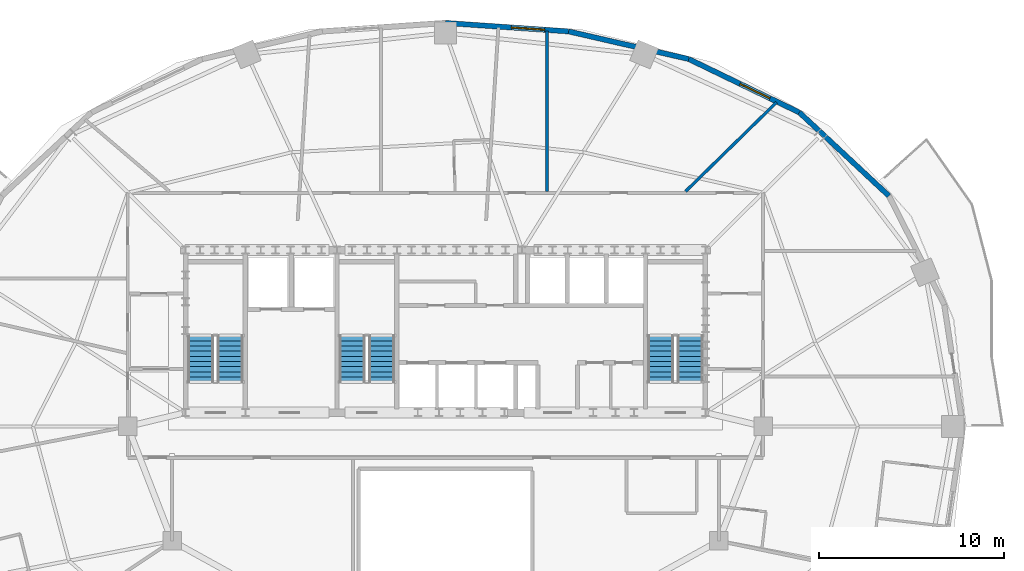
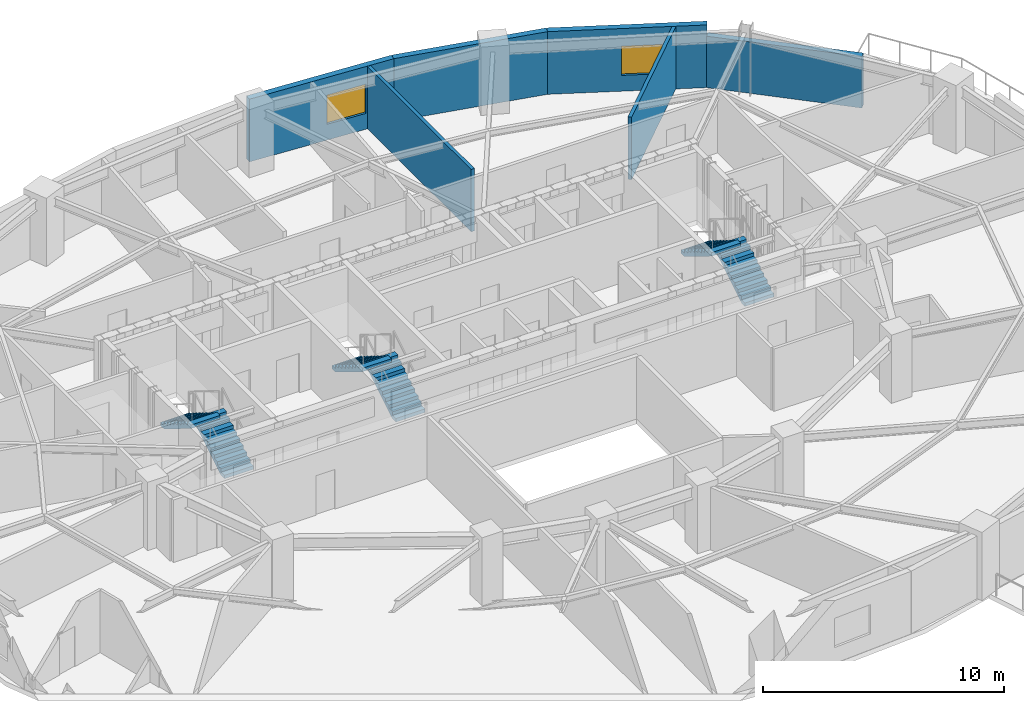
# One storey, part 7 of 10: 6 stair flights, 6 walls, 2 windows, 2 openings, 3 elements without a shape of their own.
"""IFC4 building model written with IfcOpenShell, lengths in metres."""

from ifc_helpers import new_model, si_unit, direction, frame, frame_2d, origin, place, context, subcontext, project, spatial, polyline, rectangle, outline, extrude, material, layer, layer_set, type_object, element, fill, aggregate, save


model = new_model("IFC4")

# Units and contexts
model_context = context("Model", 3, precision=1e-05, world=origin(), true_north=direction((0.0, 1.0)))
body_context = subcontext(model_context, "Body", "Model", "MODEL_VIEW")
ifc_project = project(units=[si_unit("LENGTHUNIT", "METRE"), si_unit("AREAUNIT", "SQUARE_METRE"), si_unit("VOLUMEUNIT", "CUBIC_METRE"), si_unit("PLANEANGLEUNIT", "RADIAN"), si_unit("MASSUNIT", "GRAM", prefix="KILO")], contexts=[model_context])

# Site, building, storey
site_placement = place(None, origin())
site = spatial("IfcSite", under=ifc_project, at=site_placement, CompositionType="ELEMENT")
building_placement = place(site_placement, origin())
building = spatial("IfcBuilding", under=site, at=building_placement, Name="Haldorwick Loom Tower", CompositionType="ELEMENT")
storey_placement = place(building_placement, frame((0.0, 0.0, 196.89990234375)))
storey = spatial("IfcBuildingStorey", under=building, at=storey_placement, Name="L53", CompositionType="ELEMENT", Elevation=196.89990234375)

# Wall
ifc_material_1 = material(Name="Pressed Clay Face Brick and Insulated Masonry Backup Assembly", Category="masonry")
ifc_layer_1 = layer(ifc_material_1, 0.280029296875, Name="Pressed Clay Face Brick and Insulated Masonry Backup Assembly", Category="masonry")
ifc_layer_set_1 = layer_set([ifc_layer_1], Name="Pressed Clay Face Brick and Insulated Masonry Backup Assembly")
wall_type_1 = type_object("IfcWallType", Name="ARC-WL-EXT280", PredefinedType="STANDARD", material=ifc_layer_set_1)
wall_1_placement = place(storey_placement, frame((60.005615234375, 38.4853515625, 0.0), z_axis=(0.0, 0.0, 1.0), x_axis=(-0.731833707499, 0.681483253329, 0.0)))
element("IfcWall", 1, at=wall_1_placement, inside=storey, type_object=wall_type_1, Name="L53 Brick Pier and Spandrel Wall 3", PredefinedType="STANDARD", context=body_context, shape_type="SweptSolid", body=[
    extrude(rectangle(XDim=6.61865234375, YDim=0.280029296875, at=frame_2d((3.309326171875, 0.0))), origin(), (0.0, 0.0, 1.0), 2.60107421875),
])

# Wall, opening, window
wall_2_placement = place(storey_placement, frame((55.161865234375, 42.995849609375, 0.0), z_axis=(0.0, 0.0, 1.0), x_axis=(-0.900371236029, 0.435122554381, 0.0)))
wall_2 = element("IfcWall", 2, at=wall_2_placement, inside=storey, type_object=wall_type_1, Name="L53 Brick Pier and Spandrel Wall 4", PredefinedType="STANDARD", context=body_context, shape_type="SweptSolid", body=[
    extrude(rectangle(XDim=6.6533203125, YDim=0.280029296875, at=frame_2d((3.32666015625, 0.0))), origin(), (0.0, 0.0, 1.0), 3.170166015625),
])
opening_1_placement = place(wall_2_placement, frame((1.770751953125, 0.0, 0.800048828125)))
opening_1 = element("IfcOpeningElement", 3, at=opening_1_placement, cuts=wall_2, Name="Opening W-01", PredefinedType="OPENING", context=body_context, shape_type="SweptSolid", body=[
    extrude(rectangle(XDim=1.800048828125, YDim=1.47998046875, at=frame_2d((0.89990234375, 0.739990234375))), frame((0.0, 0.14990234375, 0.0), z_axis=(0.0, -1.0, 0.0), x_axis=(1.0, 0.0, 0.0)), (0.0, 0.0, 1.0), 0.300048828125),
])
ifc_material_2 = material(Name="Triple-Glazed Low-E Argon Insulated Glazing Unit", Category="glass")
window_type = type_object("IfcWindowType", Name="ARC-WIN-W180", PartitioningType="SINGLE_PANEL", PredefinedType="WINDOW", material=ifc_material_2)
window_1_placement = place(opening_1_placement, origin())
window_1 = element("IfcWindow", 4, at=window_1_placement, inside=storey, type_object=window_type, Name="L53 Deep-Set Zone 7A Window 4", OverallHeight=1.47998046875, OverallWidth=1.800048828125, PartitioningType="SINGLE_PANEL", PredefinedType="WINDOW", context=body_context, shape_type="SweptSolid", body=[
    extrude(rectangle(XDim=1.800048828125, YDim=1.47998046875, at=frame_2d((0.89990234375, 0.739990234375))), frame((0.0, 0.030029296875, 0.0), z_axis=(0.0, -1.0, 0.0), x_axis=(1.0, 0.0, 0.0)), (0.0, 0.0, 1.0), 0.06005859375),
])
fill(opening_1, window_1)

# Wall
wall_3_placement = place(storey_placement, frame((49.17138671875, 45.890869140625, 0.0), z_axis=(0.0, 0.0, 1.0), x_axis=(-0.974557343474, 0.224138315065, 0.0)))
element("IfcWall", 5, at=wall_3_placement, inside=storey, type_object=wall_type_1, Name="L53 Brick Pier and Spandrel Wall 5", PredefinedType="STANDARD", context=body_context, shape_type="SweptSolid", body=[
    extrude(rectangle(XDim=6.676025390625, YDim=0.280029296875, at=frame_2d((3.337890625, 0.0))), origin(), (0.0, 0.0, 1.0), 3.170166015625),
])

# Wall, opening, window
wall_4_placement = place(storey_placement, frame((42.665283203125, 47.38720703125, 0.0), z_axis=(0.0, 0.0, 1.0), x_axis=(-0.99764992135, 0.068517402386, 0.0)))
wall_4 = element("IfcWall", 6, at=wall_4_placement, inside=storey, type_object=wall_type_1, Name="L53 Brick Pier and Spandrel Wall 6", PredefinedType="STANDARD", context=body_context, shape_type="SweptSolid", body=[
    extrude(rectangle(XDim=6.680908203125, YDim=0.280029296875, at=frame_2d((3.34033203125, 0.0))), origin(), (0.0, 0.0, 1.0), 3.170166015625),
])
opening_2_placement = place(wall_4_placement, frame((1.30029296875, 0.0, 0.800048828125)))
opening_2 = element("IfcOpeningElement", 7, at=opening_2_placement, cuts=wall_4, Name="Opening W-01", PredefinedType="OPENING", context=body_context, shape_type="SweptSolid", body=[
    extrude(rectangle(XDim=1.800048828125, YDim=1.47998046875, at=frame_2d((0.89990234375, 0.739990234375))), frame((0.0, 0.14990234375, 0.0), z_axis=(0.0, -1.0, 0.0), x_axis=(1.0, 0.0, 0.0)), (0.0, 0.0, 1.0), 0.300048828125),
])
window_2_placement = place(opening_2_placement, origin())
window_2 = element("IfcWindow", 8, at=window_2_placement, inside=storey, type_object=window_type, Name="L53 Deep-Set Zone 7A Window 6", OverallHeight=1.47998046875, OverallWidth=1.800048828125, PartitioningType="SINGLE_PANEL", PredefinedType="WINDOW", context=body_context, shape_type="SweptSolid", body=[
    extrude(rectangle(XDim=1.800048828125, YDim=1.47998046875, at=frame_2d((0.89990234375, 0.739990234375))), frame((0.0, 0.030029296875, 0.0), z_axis=(0.0, -1.0, 0.0), x_axis=(1.0, 0.0, 0.0)), (0.0, 0.0, 1.0), 0.06005859375),
])
fill(opening_2, window_2)

# Walls
ifc_material_3 = material(Name="Fire-Rated Type X Gypsum Stud Assembly EI 60")
ifc_layer_2 = layer(ifc_material_3, 0.159912109375, Name="Fire-Rated Type X Gypsum Stud Assembly EI 60")
ifc_layer_set_2 = layer_set([ifc_layer_2], Name="Fire-Rated Type X Gypsum Stud Assembly EI 60")
wall_type_2 = type_object("IfcWallType", Name="ARC-WL-FIRE160", PredefinedType="PARTITIONING", material=ifc_layer_set_2)
wall_5_placement = place(storey_placement, frame((41.5, 38.73291015625, 0.0), z_axis=(0.0, 0.0, 1.0), x_axis=(0.0, 1.0, 0.0)))
element("IfcWall", 9, at=wall_5_placement, inside=storey, type_object=wall_type_2, Name="L53 Residential Fire Partition L53-NBP-1", PredefinedType="PARTITIONING", context=body_context, shape_type="SweptSolid", body=[
    extrude(rectangle(XDim=8.689208984375, YDim=0.159912109375, at=frame_2d((4.3447265625, 0.0))), origin(), (0.0, 0.0, 1.0), 3.155029296875),
])
wall_6_placement = place(storey_placement, frame((49.007080078125, 38.73291015625, 0.0), z_axis=(0.0, 0.0, 1.0), x_axis=(0.714590999757, 0.69954249554, 0.0)))
element("IfcWall", 10, at=wall_6_placement, inside=storey, type_object=wall_type_2, Name="L53 Suite Split Wall", PredefinedType="PARTITIONING", context=body_context, shape_type="SweptSolid", body=[
    extrude(rectangle(XDim=6.87890625, YDim=0.159912109375, at=frame_2d((3.439453125, 0.0))), origin(), (0.0, 0.0, 1.0), 3.155029296875),
])

# Stair, stair flights
ifc_material_4 = material(Name="Concrete C40 (40 MPa)", Category="concrete")
stair_type = type_object("IfcStairType", Name="STR-STR-CORE", PredefinedType="HALF_TURN_STAIR", material=ifc_material_4)
stair_1_placement = place(storey_placement, origin())
stair_1 = element("IfcStair", 11, at=stair_1_placement, inside=storey, type_object=stair_type, Name="L53 Exit Stair ST-01", PredefinedType="HALF_TURN_STAIR")
stair_flight_type = type_object("IfcStairFlightType", Name="STR-STF-1250", PredefinedType="STRAIGHT", material=ifc_material_4)
stair_flight_1_placement = place(storey_placement, frame((24.35009765625, 28.39990234375, 0.0), z_axis=(0.0, 0.0, 1.0), x_axis=(0.0, 1.0, 0.0)))
stair_flight_1 = element("IfcStairFlight", 12, at=stair_flight_1_placement, type_object=stair_flight_type, Name="ST-01 flight 1", NumberOfRisers=10, NumberOfTreads=9, PredefinedType="STRAIGHT", RiserHeight=0.1725, TreadLength=0.28, context=body_context, shape_type="SweptSolid", body=[
    extrude(outline(polyline([(0.0, 0.0), (0.0, 0.172607421875), (0.280029296875, 0.172607421875), (0.280029296875, 0.344970703125), (0.56005859375, 0.344970703125), (0.56005859375, 0.517578125), (0.840087890625, 0.517578125), (0.840087890625, 0.68994140625), (1.1201171875, 0.68994140625), (1.1201171875, 0.862548828125), (1.39990234375, 0.862548828125), (1.39990234375, 1.034912109375), (1.679931640625, 1.034912109375), (1.679931640625, 1.20751953125), (1.9599609375, 1.20751953125), (1.9599609375, 1.3798828125), (2.239990234375, 1.3798828125), (2.239990234375, 1.552490234375), (2.52001953125, 1.552490234375), (2.52001953125, 1.72509765625), (2.52001953125, 1.37646484375), (0.285888671875, 0.0), (0.0, 0.0)])), frame((0.0, 0.699951171875, 0.0), z_axis=(0.0, -1.0, 0.0), x_axis=(1.0, 0.0, 0.0)), (0.0, 0.0, 1.0), 1.39990234375),
])
stair_flight_2_placement = place(storey_placement, frame((22.75, 30.919921875, 1.72509765625), z_axis=(0.0, 0.0, 1.0), x_axis=(0.0, -1.0, 0.0)))
stair_flight_2 = element("IfcStairFlight", 13, at=stair_flight_2_placement, type_object=stair_flight_type, Name="ST-01 flight 2", NumberOfRisers=10, NumberOfTreads=9, PredefinedType="STRAIGHT", RiserHeight=0.1725, TreadLength=0.28, context=body_context, shape_type="SweptSolid", body=[
    extrude(outline(polyline([(0.0, 0.0), (0.0, 0.172607421875), (0.280029296875, 0.172607421875), (0.280029296875, 0.344970703125), (0.56005859375, 0.344970703125), (0.56005859375, 0.517578125), (0.840087890625, 0.517578125), (0.840087890625, 0.68994140625), (1.1201171875, 0.68994140625), (1.1201171875, 0.862548828125), (1.39990234375, 0.862548828125), (1.39990234375, 1.034912109375), (1.679931640625, 1.034912109375), (1.679931640625, 1.20751953125), (1.9599609375, 1.20751953125), (1.9599609375, 1.3798828125), (2.239990234375, 1.3798828125), (2.239990234375, 1.552490234375), (2.52001953125, 1.552490234375), (2.52001953125, 1.72509765625), (2.52001953125, 1.37646484375), (0.285888671875, 0.0), (0.0, 0.0)])), frame((0.0, 0.699951171875, 0.0), z_axis=(0.0, -1.0, 0.0), x_axis=(1.0, 0.0, 0.0)), (0.0, 0.0, 1.0), 1.39990234375),
])
aggregate(stair_1, [stair_flight_1, stair_flight_2])

stair_2_placement = place(storey_placement, origin())
stair_2 = element("IfcStair", 14, at=stair_2_placement, inside=storey, type_object=stair_type, Name="L53 Exit Stair ST-02", PredefinedType="HALF_TURN_STAIR")
stair_flight_3_placement = place(storey_placement, frame((49.25, 28.39990234375, 0.0), z_axis=(0.0, 0.0, 1.0), x_axis=(0.0, 1.0, 0.0)))
stair_flight_3 = element("IfcStairFlight", 15, at=stair_flight_3_placement, type_object=stair_flight_type, Name="ST-02 flight 1", NumberOfRisers=10, NumberOfTreads=9, PredefinedType="STRAIGHT", RiserHeight=0.1725, TreadLength=0.28, context=body_context, shape_type="SweptSolid", body=[
    extrude(outline(polyline([(0.0, 0.0), (0.0, 0.172607421875), (0.280029296875, 0.172607421875), (0.280029296875, 0.344970703125), (0.56005859375, 0.344970703125), (0.56005859375, 0.517578125), (0.840087890625, 0.517578125), (0.840087890625, 0.68994140625), (1.1201171875, 0.68994140625), (1.1201171875, 0.862548828125), (1.39990234375, 0.862548828125), (1.39990234375, 1.034912109375), (1.679931640625, 1.034912109375), (1.679931640625, 1.20751953125), (1.9599609375, 1.20751953125), (1.9599609375, 1.3798828125), (2.239990234375, 1.3798828125), (2.239990234375, 1.552490234375), (2.52001953125, 1.552490234375), (2.52001953125, 1.72509765625), (2.52001953125, 1.37646484375), (0.285888671875, 0.0), (0.0, 0.0)])), frame((0.0, 0.699951171875, 0.0), z_axis=(0.0, -1.0, 0.0), x_axis=(1.0, 0.0, 0.0)), (0.0, 0.0, 1.0), 1.39990234375),
])
stair_flight_4_placement = place(storey_placement, frame((47.64990234375, 30.919921875, 1.72509765625), z_axis=(0.0, 0.0, 1.0), x_axis=(0.0, -1.0, 0.0)))
stair_flight_4 = element("IfcStairFlight", 16, at=stair_flight_4_placement, type_object=stair_flight_type, Name="ST-02 flight 2", NumberOfRisers=10, NumberOfTreads=9, PredefinedType="STRAIGHT", RiserHeight=0.1725, TreadLength=0.28, context=body_context, shape_type="SweptSolid", body=[
    extrude(outline(polyline([(0.0, 0.0), (0.0, 0.172607421875), (0.280029296875, 0.172607421875), (0.280029296875, 0.344970703125), (0.56005859375, 0.344970703125), (0.56005859375, 0.517578125), (0.840087890625, 0.517578125), (0.840087890625, 0.68994140625), (1.1201171875, 0.68994140625), (1.1201171875, 0.862548828125), (1.39990234375, 0.862548828125), (1.39990234375, 1.034912109375), (1.679931640625, 1.034912109375), (1.679931640625, 1.20751953125), (1.9599609375, 1.20751953125), (1.9599609375, 1.3798828125), (2.239990234375, 1.3798828125), (2.239990234375, 1.552490234375), (2.52001953125, 1.552490234375), (2.52001953125, 1.72509765625), (2.52001953125, 1.37646484375), (0.285888671875, 0.0), (0.0, 0.0)])), frame((0.0, 0.699951171875, 0.0), z_axis=(0.0, -1.0, 0.0), x_axis=(1.0, 0.0, 0.0)), (0.0, 0.0, 1.0), 1.39990234375),
])
aggregate(stair_2, [stair_flight_3, stair_flight_4])

stair_3_placement = place(storey_placement, origin())
stair_3 = element("IfcStair", 17, at=stair_3_placement, inside=storey, type_object=stair_type, Name="L53 Exit Stair ST-03", PredefinedType="HALF_TURN_STAIR")
stair_flight_5_placement = place(storey_placement, frame((32.550048828125, 28.39990234375, 0.0), z_axis=(0.0, 0.0, 1.0), x_axis=(0.0, 1.0, 0.0)))
stair_flight_5 = element("IfcStairFlight", 18, at=stair_flight_5_placement, type_object=stair_flight_type, Name="ST-03 flight 1", NumberOfRisers=10, NumberOfTreads=9, PredefinedType="STRAIGHT", RiserHeight=0.1725, TreadLength=0.28, context=body_context, shape_type="SweptSolid", body=[
    extrude(outline(polyline([(0.0, 0.0), (0.0, 0.172607421875), (0.280029296875, 0.172607421875), (0.280029296875, 0.344970703125), (0.56005859375, 0.344970703125), (0.56005859375, 0.517578125), (0.840087890625, 0.517578125), (0.840087890625, 0.68994140625), (1.1201171875, 0.68994140625), (1.1201171875, 0.862548828125), (1.39990234375, 0.862548828125), (1.39990234375, 1.034912109375), (1.679931640625, 1.034912109375), (1.679931640625, 1.20751953125), (1.9599609375, 1.20751953125), (1.9599609375, 1.3798828125), (2.239990234375, 1.3798828125), (2.239990234375, 1.552490234375), (2.52001953125, 1.552490234375), (2.52001953125, 1.72509765625), (2.52001953125, 1.37646484375), (0.285888671875, 0.0), (0.0, 0.0)])), frame((0.0, 0.699951171875, 0.0), z_axis=(0.0, -1.0, 0.0), x_axis=(1.0, 0.0, 0.0)), (0.0, 0.0, 1.0), 1.39990234375),
])
stair_flight_6_placement = place(storey_placement, frame((30.949951171875, 30.919921875, 1.72509765625), z_axis=(0.0, 0.0, 1.0), x_axis=(0.0, -1.0, 0.0)))
stair_flight_6 = element("IfcStairFlight", 19, at=stair_flight_6_placement, type_object=stair_flight_type, Name="ST-03 flight 2", NumberOfRisers=10, NumberOfTreads=9, PredefinedType="STRAIGHT", RiserHeight=0.1725, TreadLength=0.28, context=body_context, shape_type="SweptSolid", body=[
    extrude(outline(polyline([(0.0, 0.0), (0.0, 0.172607421875), (0.280029296875, 0.172607421875), (0.280029296875, 0.344970703125), (0.56005859375, 0.344970703125), (0.56005859375, 0.517578125), (0.840087890625, 0.517578125), (0.840087890625, 0.68994140625), (1.1201171875, 0.68994140625), (1.1201171875, 0.862548828125), (1.39990234375, 0.862548828125), (1.39990234375, 1.034912109375), (1.679931640625, 1.034912109375), (1.679931640625, 1.20751953125), (1.9599609375, 1.20751953125), (1.9599609375, 1.3798828125), (2.239990234375, 1.3798828125), (2.239990234375, 1.552490234375), (2.52001953125, 1.552490234375), (2.52001953125, 1.72509765625), (2.52001953125, 1.37646484375), (0.285888671875, 0.0), (0.0, 0.0)])), frame((0.0, 0.699951171875, 0.0), z_axis=(0.0, -1.0, 0.0), x_axis=(1.0, 0.0, 0.0)), (0.0, 0.0, 1.0), 1.39990234375),
])
aggregate(stair_3, [stair_flight_5, stair_flight_6])

save(model, "model.ifc")
